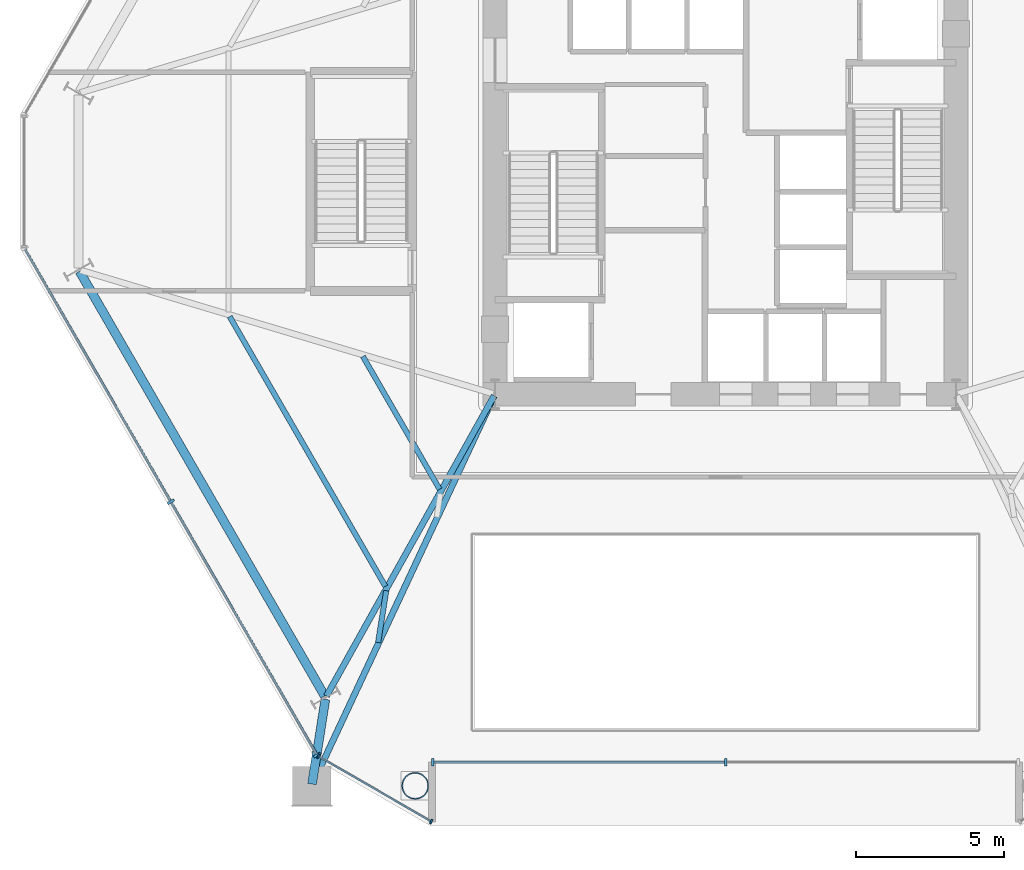
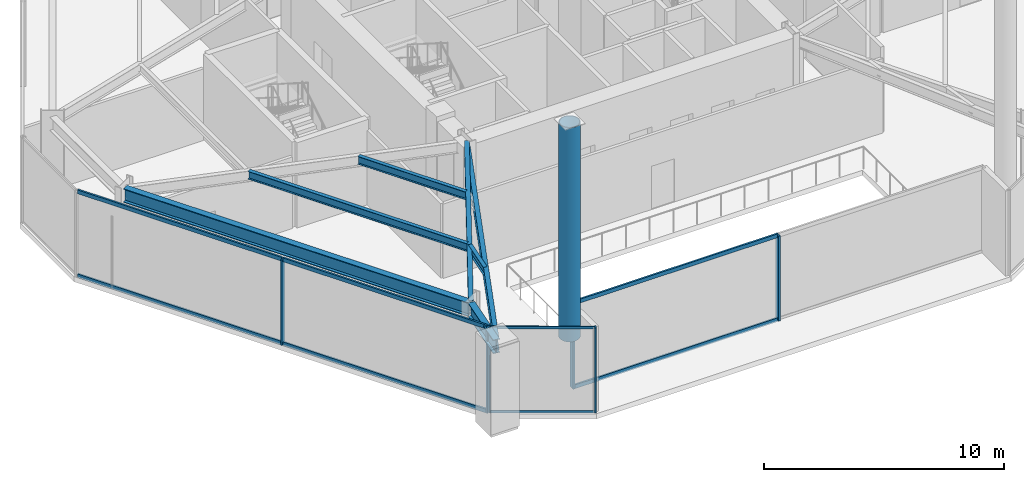
# One storey, part 5 of 22: 15 members, 7 beams, 3 elements without a shape of their own.
"""IFC4 building model written with IfcOpenShell, lengths in metres."""

from ifc_helpers import new_model, si_unit, direction, frame, origin, origin_2d, place, context, subcontext, project, spatial, rectangle, hollow_circle, i_section, extrude, material, layer, layer_set, material_profile, profile_set, type_object, element, aggregate, save


model = new_model("IFC4")

# Units and contexts
model_context = context("Model", 3, precision=1e-05, world=origin(), true_north=direction((0.0, 1.0)))
body_context = subcontext(model_context, "Body", "Model", "MODEL_VIEW")
ifc_project = project(units=[si_unit("LENGTHUNIT", "METRE"), si_unit("AREAUNIT", "SQUARE_METRE"), si_unit("VOLUMEUNIT", "CUBIC_METRE"), si_unit("PLANEANGLEUNIT", "RADIAN"), si_unit("MASSUNIT", "GRAM", prefix="KILO")], contexts=[model_context])

# Site, building, storey
site_placement = place(None, origin())
site = spatial("IfcSite", under=ifc_project, at=site_placement, CompositionType="ELEMENT")
building_placement = place(site_placement, origin())
building = spatial("IfcBuilding", under=site, at=building_placement, Name="Kranzbogen Civic Tower", CompositionType="ELEMENT")
storey_placement = place(building_placement, frame((0.0, 0.0, 5.199951171875)))
storey = spatial("IfcBuildingStorey", under=building, at=storey_placement, Name="L01", CompositionType="ELEMENT", Elevation=5.199951171875)

# Curtain wall, members
ifc_material_1 = material(Name="Pale Anodised Aluminium", Category="aluminium")
ifc_layer_1 = layer(ifc_material_1, 0.219970703125, Name="Pale Anodised Aluminium")
ifc_layer_set_1 = layer_set([ifc_layer_1], Name="Pale Anodised Aluminium")
curtain_wall_type_1 = type_object("IfcCurtainWallType", Name="Chamfer Facet Stick Curtain Wall System CW-06", PredefinedType="USERDEFINED", material=ifc_layer_set_1)
curtain_wall_1_placement = place(storey_placement, origin())
curtain_wall_1 = element("IfcCurtainWall", 1, at=curtain_wall_1_placement, inside=storey, type_object=curtain_wall_type_1, Name="L01 curtain wall CW-L01-C4", ObjectType="STICK CURTAIN WALL", PredefinedType="USERDEFINED")
ifc_material_profile_1 = material_profile(ifc_material_1, rectangle(XDim=0.06005859375, YDim=0.159912109375, at=origin_2d()), Name="ALU-M 60x160")
ifc_profile_set_1 = profile_set([ifc_material_profile_1], Name="Pale Anodised Aluminium")
member_type_1 = type_object("IfcMemberType", Name="Curtain Wall Mullion ALU-M 60x160", PredefinedType="MULLION", material=ifc_profile_set_1)
member_1_placement = place(storey_placement, frame((11.221923828125, 5.549072265625, 0.0), z_axis=(0.0, 0.0, 1.0), x_axis=(0.865992001897, -0.500057849305, 0.0)))
member_1 = element("IfcMember", 2, at=member_1_placement, type_object=member_type_1, Name="CW-06 mullion 1", PredefinedType="MULLION", context=body_context, shape_type="SweptSolid", body=[
    extrude(rectangle(XDim=0.06005859375, YDim=0.159912109375, at=origin_2d()), origin(), (0.0, 0.0, 1.0), 4.340087890625),
])
member_2_placement = place(storey_placement, frame((15.0439453125, 3.342041015625, 0.0), z_axis=(0.0, 0.0, 1.0), x_axis=(0.865992001897, -0.500057849305, 0.0)))
member_2 = element("IfcMember", 3, at=member_2_placement, type_object=member_type_1, Name="CW-06 mullion 2", PredefinedType="MULLION", context=body_context, shape_type="SweptSolid", body=[
    extrude(rectangle(XDim=0.06005859375, YDim=0.159912109375, at=origin_2d()), origin(), (0.0, 0.0, 1.0), 4.340087890625),
])

ifc_layer_2 = layer(ifc_material_1, 0.219970703125, Name="Pale Anodised Aluminium")
ifc_layer_set_2 = layer_set([ifc_layer_2], Name="Pale Anodised Aluminium")
curtain_wall_type_2 = type_object("IfcCurtainWallType", Name="Podium Stick Curtain Wall System CW-01", PredefinedType="USERDEFINED", material=ifc_layer_set_2)
curtain_wall_2_placement = place(storey_placement, origin())
curtain_wall_2 = element("IfcCurtainWall", 4, at=curtain_wall_2_placement, inside=storey, type_object=curtain_wall_type_2, Name="L01 curtain wall CW-L01-F4", ObjectType="STICK CURTAIN WALL", PredefinedType="USERDEFINED")
ifc_material_profile_2 = material_profile(ifc_material_1, rectangle(XDim=0.0849609375, YDim=0.260009765625, at=origin_2d()), Name="ALU-M 85x260")
ifc_profile_set_2 = profile_set([ifc_material_profile_2], Name="Pale Anodised Aluminium")
member_type_2 = type_object("IfcMemberType", Name="Curtain Wall Mullion ALU-M 85x260", PredefinedType="MULLION", material=ifc_profile_set_2)
member_3_placement = place(storey_placement, frame((6.23095703125, 14.16357421875, 0.0), z_axis=(0.0, 0.0, 1.0), x_axis=(0.500005767433, -0.86602207393, 0.0)))
member_3 = element("IfcMember", 5, at=member_3_placement, type_object=member_type_2, Name="CW-01 mullion 2", PredefinedType="MULLION", context=body_context, shape_type="SweptSolid", body=[
    extrude(rectangle(XDim=0.0849609375, YDim=0.260009765625, at=origin_2d()), origin(), (0.0, 0.0, 1.0), 4.340087890625),
])
member_4_placement = place(storey_placement, frame((11.180908203125, 5.590087890625, 0.0), z_axis=(0.0, 0.0, 1.0), x_axis=(0.500005767433, -0.86602207393, 0.0)))
member_4 = element("IfcMember", 6, at=member_4_placement, type_object=member_type_2, Name="CW-01 mullion 3", PredefinedType="MULLION", context=body_context, shape_type="SweptSolid", body=[
    extrude(rectangle(XDim=0.0849609375, YDim=0.260009765625, at=origin_2d()), origin(), (0.0, 0.0, 1.0), 4.340087890625),
])

curtain_wall_3_placement = place(storey_placement, origin())
curtain_wall_3 = element("IfcCurtainWall", 7, at=curtain_wall_3_placement, inside=storey, type_object=curtain_wall_type_2, Name="L01 curtain wall CW-L01-F5", ObjectType="STICK CURTAIN WALL", PredefinedType="USERDEFINED")
member_5_placement = place(storey_placement, frame((15.10009765625, 5.35009765625, 0.0), z_axis=(0.0, 0.0, 1.0), x_axis=(1.0, 0.0, 0.0)))
member_5 = element("IfcMember", 8, at=member_5_placement, type_object=member_type_2, Name="CW-01 mullion 1", PredefinedType="MULLION", context=body_context, shape_type="SweptSolid", body=[
    extrude(rectangle(XDim=0.0849609375, YDim=0.260009765625, at=origin_2d()), origin(), (0.0, 0.0, 1.0), 4.340087890625),
])
member_6_placement = place(storey_placement, frame((25.0, 5.35009765625, 0.0), z_axis=(0.0, 0.0, 1.0), x_axis=(1.0, 0.0, 0.0)))
member_6 = element("IfcMember", 9, at=member_6_placement, type_object=member_type_2, Name="CW-01 mullion 2", PredefinedType="MULLION", context=body_context, shape_type="SweptSolid", body=[
    extrude(rectangle(XDim=0.0849609375, YDim=0.260009765625, at=origin_2d()), origin(), (0.0, 0.0, 1.0), 4.340087890625),
])

# Member
ifc_material_profile_3 = material_profile(ifc_material_1, rectangle(XDim=0.06005859375, YDim=0.1201171875, at=origin_2d()), Name="ALU-T 60x120")
ifc_profile_set_3 = profile_set([ifc_material_profile_3], Name="Pale Anodised Aluminium")
member_type_3 = type_object("IfcMemberType", Name="Curtain Wall Transom ALU-T 60x120", PredefinedType="USERDEFINED", material=ifc_profile_set_3)
member_7_placement = place(storey_placement, frame((11.248046875, 5.533935546875, 0.030029296875), z_axis=(0.865987588642, -0.500065492029, 0.0), x_axis=(0.500065492029, 0.865987588642, 0.0)))
member_7 = element("IfcMember", 10, at=member_7_placement, type_object=member_type_3, Name="CW-06 transom 1.1", ObjectType="TRANSOM", PredefinedType="USERDEFINED", context=body_context, shape_type="SweptSolid", body=[
    extrude(rectangle(XDim=0.06005859375, YDim=0.1201171875, at=origin_2d()), origin(), (0.0, 0.0, 1.0), 4.353515625),
])

member_8_placement = place(storey_placement, frame((11.248046875, 5.533935546875, 4.31005859375), z_axis=(0.865987588642, -0.500065492029, 0.0), x_axis=(0.500065492029, 0.865987588642, 0.0)))
member_8 = element("IfcMember", 11, at=member_8_placement, type_object=member_type_3, Name="CW-06 transom 1.2", ObjectType="TRANSOM", PredefinedType="USERDEFINED", context=body_context, shape_type="SweptSolid", body=[
    extrude(rectangle(XDim=0.06005859375, YDim=0.1201171875, at=origin_2d()), origin(), (0.0, 0.0, 1.0), 4.353515625),
])

aggregate(curtain_wall_1, [member_1, member_2, member_7, member_8])

ifc_material_profile_4 = material_profile(ifc_material_1, rectangle(XDim=0.0849609375, YDim=0.195068359375, at=origin_2d()), Name="ALU-T 85x195")
ifc_profile_set_4 = profile_set([ifc_material_profile_4], Name="Pale Anodised Aluminium")
member_type_4 = type_object("IfcMemberType", Name="Curtain Wall Transom ALU-T 85x195", PredefinedType="USERDEFINED", material=ifc_profile_set_4)
member_9_placement = place(storey_placement, frame((1.2958984375, 22.7109375, 0.030029296875), z_axis=(0.500021701106, -0.866012874282, 0.0), x_axis=(0.866012874282, 0.500021701106, 0.0)))
member_9 = element("IfcMember", 12, at=member_9_placement, type_object=member_type_4, Name="CW-01 transom 1.1", ObjectType="TRANSOM", PredefinedType="USERDEFINED", context=body_context, shape_type="SweptSolid", body=[
    extrude(rectangle(XDim=0.0849609375, YDim=0.195068359375, at=origin_2d()), origin(), (0.0, 0.0, 1.0), 9.83984375),
])

member_10_placement = place(storey_placement, frame((1.2958984375, 22.7109375, 4.31005859375), z_axis=(0.500021701106, -0.866012874282, 0.0), x_axis=(0.866012874282, 0.500021701106, 0.0)))
member_10 = element("IfcMember", 13, at=member_10_placement, type_object=member_type_4, Name="CW-01 transom 1.2", ObjectType="TRANSOM", PredefinedType="USERDEFINED", context=body_context, shape_type="SweptSolid", body=[
    extrude(rectangle(XDim=0.0849609375, YDim=0.195068359375, at=origin_2d()), origin(), (0.0, 0.0, 1.0), 9.83984375),
])

member_11_placement = place(storey_placement, frame((6.24609375, 14.137451171875, 0.030029296875), z_axis=(0.500003092839, -0.866023618125, 0.0), x_axis=(0.866023618125, 0.500003092839, 0.0)))
member_11 = element("IfcMember", 14, at=member_11_placement, type_object=member_type_4, Name="CW-01 transom 2.1", ObjectType="TRANSOM", PredefinedType="USERDEFINED", context=body_context, shape_type="SweptSolid", body=[
    extrude(rectangle(XDim=0.0849609375, YDim=0.195068359375, at=origin_2d()), origin(), (0.0, 0.0, 1.0), 9.83984375),
])

member_12_placement = place(storey_placement, frame((6.24609375, 14.137451171875, 4.31005859375), z_axis=(0.500003092839, -0.866023618125, 0.0), x_axis=(0.866023618125, 0.500003092839, 0.0)))
member_12 = element("IfcMember", 15, at=member_12_placement, type_object=member_type_4, Name="CW-01 transom 2.2", ObjectType="TRANSOM", PredefinedType="USERDEFINED", context=body_context, shape_type="SweptSolid", body=[
    extrude(rectangle(XDim=0.0849609375, YDim=0.195068359375, at=origin_2d()), origin(), (0.0, 0.0, 1.0), 9.83984375),
])

aggregate(curtain_wall_2, [member_3, member_4, member_9, member_10, member_11, member_12])

member_13_placement = place(storey_placement, frame((15.1298828125, 5.35009765625, 0.030029296875), z_axis=(1.0, 0.0, 0.0), x_axis=(0.0, 1.0, 0.0)))
member_13 = element("IfcMember", 16, at=member_13_placement, type_object=member_type_4, Name="CW-01 transom 1.1", ObjectType="TRANSOM", PredefinedType="USERDEFINED", context=body_context, shape_type="SweptSolid", body=[
    extrude(rectangle(XDim=0.0849609375, YDim=0.195068359375, at=origin_2d()), origin(), (0.0, 0.0, 1.0), 9.840087890625),
])

member_14_placement = place(storey_placement, frame((15.1298828125, 5.35009765625, 4.31005859375), z_axis=(1.0, 0.0, 0.0), x_axis=(0.0, 1.0, 0.0)))
member_14 = element("IfcMember", 17, at=member_14_placement, type_object=member_type_4, Name="CW-01 transom 1.2", ObjectType="TRANSOM", PredefinedType="USERDEFINED", context=body_context, shape_type="SweptSolid", body=[
    extrude(rectangle(XDim=0.0849609375, YDim=0.195068359375, at=origin_2d()), origin(), (0.0, 0.0, 1.0), 9.840087890625),
])

aggregate(curtain_wall_3, [member_5, member_6, member_13, member_14])

# Beams
ifc_material_2 = material(Name="Steel S355", Category="steel")
ifc_material_profile_5 = material_profile(ifc_material_2, i_section(OverallWidth=0.300048828125, OverallDepth=0.699951171875, WebThickness=0.01708984375, FlangeThickness=0.031982421875, at=origin_2d()), Name="HEB 700")
ifc_profile_set_5 = profile_set([ifc_material_profile_5], Name="Steel S355")
beam_type_1 = type_object("IfcBeamType", Name="Perimeter Tube Spandrel Beam HEB 700", PredefinedType="SPANDREL", material=ifc_profile_set_5)
beam_1_placement = place(storey_placement, frame((3.139892578125, 21.9619140625, 3.989990234375), z_axis=(0.500010210561, -0.866019508634, 0.0), x_axis=(0.866019508634, 0.500010210561, 0.0)))
element("IfcBeam", 18, at=beam_1_placement, inside=storey, type_object=beam_type_1, Name="L01 perimeter spandrel beam 01", PredefinedType="SPANDREL", context=body_context, shape_type="SweptSolid", body=[
    extrude(i_section(OverallWidth=0.300048828125, OverallDepth=0.699951171875, WebThickness=0.01708984375, FlangeThickness=0.031982421875, at=origin_2d()), origin(), (0.0, 0.0, 1.0), 16.597900390625),
])
beam_2_placement = place(storey_placement, frame((11.4599609375, 7.47705078125, 3.989990234375), z_axis=(-0.155310516678, -0.9878657011, 0.0), x_axis=(0.9878657011, -0.155310516678, 0.0)))
element("IfcBeam", 19, at=beam_2_placement, inside=storey, type_object=beam_type_1, Name="L01 perimeter spandrel beam 02", PredefinedType="SPANDREL", context=body_context, shape_type="SweptSolid", body=[
    extrude(i_section(OverallWidth=0.300048828125, OverallDepth=0.699951171875, WebThickness=0.01708984375, FlangeThickness=0.031982421875, at=origin_2d()), origin(), (0.0, 0.0, 1.0), 2.9033203125),
])

# Member
ifc_material_3 = material(Name="Steel S460", Category="steel")
ifc_material_profile_6 = material_profile(ifc_material_3, hollow_circle(Radius=0.45703125, WallThickness=0.035888671875, at=origin_2d()), Name="CHS 914x36")
ifc_profile_set_6 = profile_set([ifc_material_profile_6], Name="Steel S460")
member_type_5 = type_object("IfcMemberType", Name="Portal Arch Thrust Strut CHS 914x36", PredefinedType="STRUT", material=ifc_profile_set_6)
member_15_placement = place(storey_placement, frame((14.5, 4.550048828125, 3.338134765625), z_axis=(0.0, 0.0, 1.0), x_axis=(1.0, 0.0, 0.0)))
element("IfcMember", 20, at=member_15_placement, inside=storey, type_object=member_type_5, Name="STR-1: Portal arch transfer post 1", PredefinedType="STRUT", context=body_context, shape_type="SweptSolid", body=[
    extrude(hollow_circle(Radius=0.45703125, WallThickness=0.035888671875, at=origin_2d()), origin(), (0.0, 0.0, 1.0), 10.911865234375),
])

# Beams
ifc_material_profile_7 = material_profile(ifc_material_2, i_section(OverallWidth=0.2099609375, OverallDepth=0.550048828125, WebThickness=0.010986328125, FlangeThickness=0.01708984375, at=origin_2d()), Name="IPE 550")
ifc_profile_set_7 = profile_set([ifc_material_profile_7], Name="Steel S355")
beam_type_2 = type_object("IfcBeamType", Name="Radial Tower Floor Girder IPE 550", PredefinedType="BEAM", material=ifc_profile_set_7)
beam_3_placement = place(storey_placement, frame((11.498046875, 7.587890625, 4.06494140625), z_axis=(0.487501570266, 0.87312211001, 0.0), x_axis=(-0.87312211001, 0.487501570266, 0.0)))
element("IfcBeam", 21, at=beam_3_placement, inside=storey, type_object=beam_type_2, Name="L01 radial floor girder 02", PredefinedType="BEAM", context=body_context, shape_type="SweptSolid", body=[
    extrude(i_section(OverallWidth=0.2099609375, OverallDepth=0.550048828125, WebThickness=0.010986328125, FlangeThickness=0.01708984375, at=origin_2d()), origin(), (0.0, 0.0, 1.0), 11.636474609375),
])
beam_4_placement = place(storey_placement, frame((11.02490234375, 4.60400390625, 4.06494140625), z_axis=(0.423857000271, 0.905729122487, 0.0), x_axis=(-0.905729122487, 0.423857000271, 0.0)))
element("IfcBeam", 22, at=beam_4_placement, inside=storey, type_object=beam_type_2, Name="L01 radial floor girder 03", PredefinedType="BEAM", context=body_context, shape_type="SweptSolid", body=[
    extrude(i_section(OverallWidth=0.2099609375, OverallDepth=0.550048828125, WebThickness=0.010986328125, FlangeThickness=0.01708984375, at=origin_2d()), origin(), (0.0, 0.0, 1.0), 14.510009765625),
])
ifc_material_profile_8 = material_profile(ifc_material_2, i_section(OverallWidth=0.179931640625, OverallDepth=0.39990234375, WebThickness=0.008544921875, FlangeThickness=0.013427734375, at=origin_2d()), Name="IPE 400")
ifc_profile_set_8 = profile_set([ifc_material_profile_8], Name="Steel S355")
beam_type_3 = type_object("IfcBeamType", Name="Secondary Composite Floor Joist IPE 400", PredefinedType="JOIST", material=ifc_profile_set_8)
beam_5_placement = place(storey_placement, frame((8.221923828125, 20.427978515625, 4.14013671875), z_axis=(0.500000488781, -0.866025121586, 0.0), x_axis=(0.866025121586, 0.500000488781, 0.0)))
element("IfcBeam", 23, at=beam_5_placement, inside=storey, type_object=beam_type_3, Name="L01 secondary floor joist 1.01", PredefinedType="JOIST", context=body_context, shape_type="SweptSolid", body=[
    extrude(i_section(OverallWidth=0.179931640625, OverallDepth=0.39990234375, WebThickness=0.008544921875, FlangeThickness=0.013427734375, at=origin_2d()), origin(), (0.0, 0.0, 1.0), 10.5400390625),
])
beam_6_placement = place(storey_placement, frame((12.73095703125, 19.0791015625, 4.14013671875), z_axis=(0.500040090343, -0.866002256377, 0.0), x_axis=(0.866002256377, 0.500040090343, 0.0)))
element("IfcBeam", 24, at=beam_6_placement, inside=storey, type_object=beam_type_3, Name="L01 secondary floor joist 2.01", PredefinedType="JOIST", context=body_context, shape_type="SweptSolid", body=[
    extrude(i_section(OverallWidth=0.179931640625, OverallDepth=0.39990234375, WebThickness=0.008544921875, FlangeThickness=0.013427734375, at=origin_2d()), origin(), (0.0, 0.0, 1.0), 5.189453125),
])
beam_7_placement = place(storey_placement, frame((13.52001953125, 11.152099609375, 4.14013671875), z_axis=(-0.155581109843, -0.987823120938, 0.0), x_axis=(0.987823120938, -0.155581109843, 0.0)))
element("IfcBeam", 25, at=beam_7_placement, inside=storey, type_object=beam_type_3, Name="L01 secondary floor joist 1.02", PredefinedType="JOIST", context=body_context, shape_type="SweptSolid", body=[
    extrude(i_section(OverallWidth=0.179931640625, OverallDepth=0.39990234375, WebThickness=0.008544921875, FlangeThickness=0.013427734375, at=origin_2d()), origin(), (0.0, 0.0, 1.0), 1.77490234375),
])

save(model, "model.ifc")
